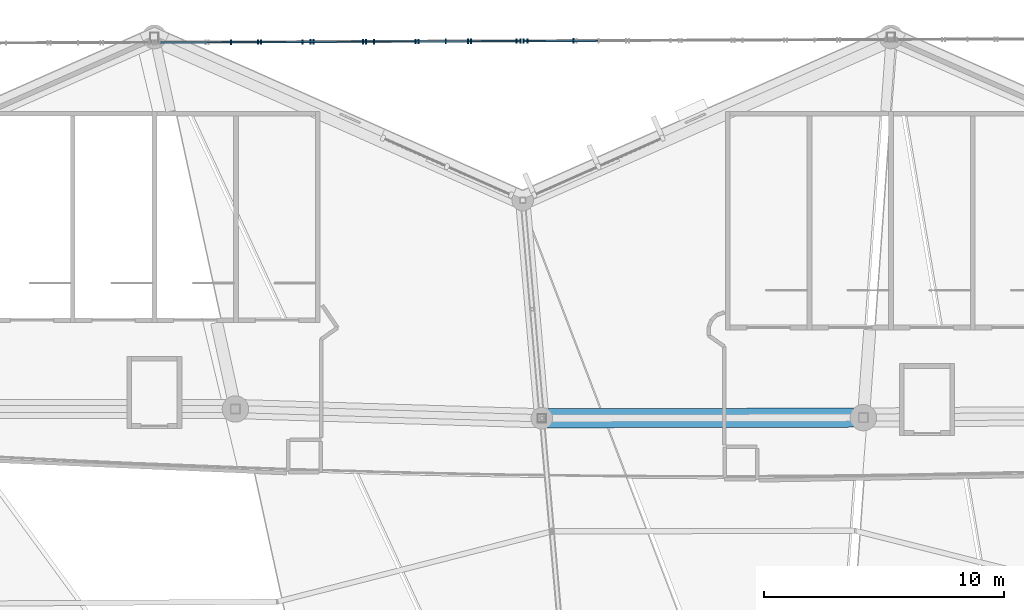
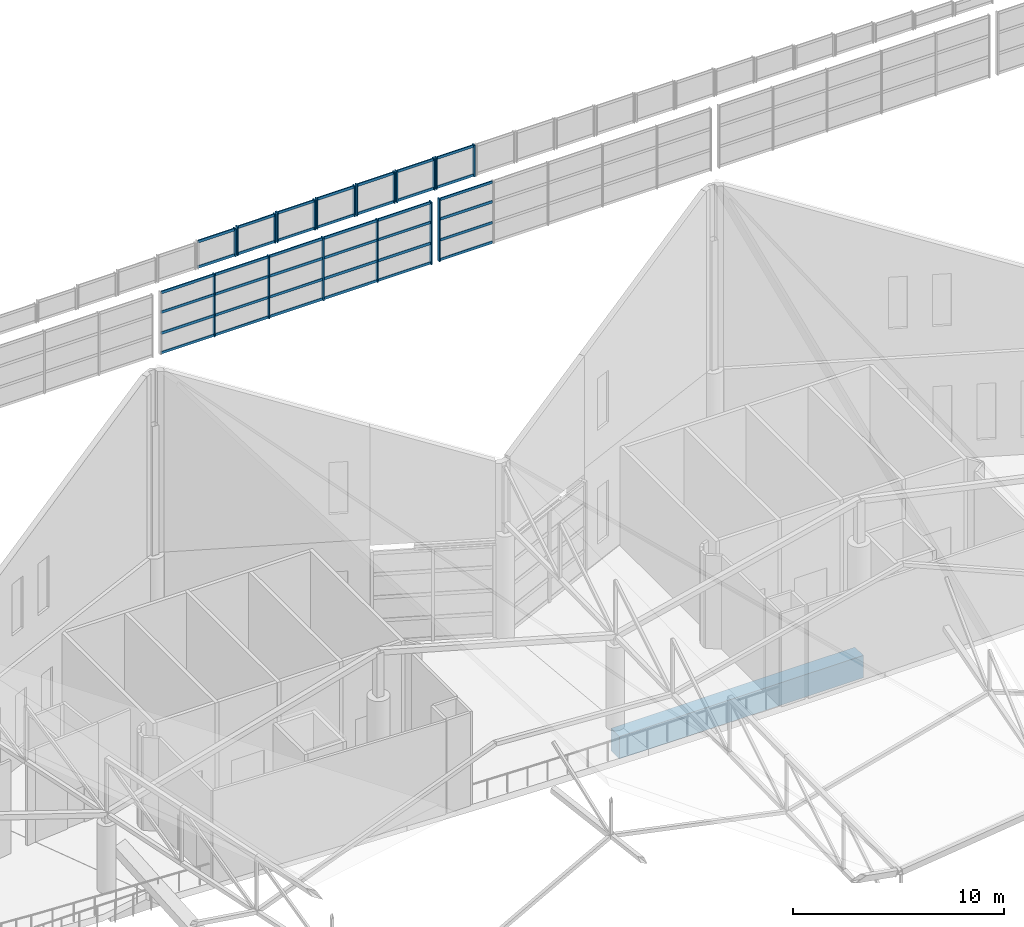
# One storey, part 168 of 344: 57 members, 1 beam, 9 elements without a shape of their own.
"""IFC4 building model written with IfcOpenShell, lengths in metres."""

from ifc_helpers import new_model, si_unit, direction, frame, origin, origin_2d, place, context, subcontext, project, spatial, rectangle, extrude, material, layer, layer_set, material_profile, profile_set, type_object, element, aggregate, save


model = new_model("IFC4")

# Units and contexts
model_context = context("Model", 3, precision=1e-05, world=origin(), true_north=direction((0.0, 1.0)))
body_context = subcontext(model_context, "Body", "Model", "MODEL_VIEW")
ifc_project = project(units=[si_unit("LENGTHUNIT", "METRE"), si_unit("AREAUNIT", "SQUARE_METRE"), si_unit("VOLUMEUNIT", "CUBIC_METRE"), si_unit("PLANEANGLEUNIT", "RADIAN"), si_unit("MASSUNIT", "GRAM", prefix="KILO")], contexts=[model_context])

# Site, building, storey
site_placement = place(None, origin())
site = spatial("IfcSite", under=ifc_project, at=site_placement, CompositionType="ELEMENT")
building_placement = place(site_placement, origin())
building = spatial("IfcBuilding", under=site, at=building_placement, Name="Meseta Stadium", CompositionType="ELEMENT")
storey_placement = place(building_placement, frame((0.0, 0.0, 24.0)))
storey = spatial("IfcBuildingStorey", under=building, at=storey_placement, Name="L04", CompositionType="ELEMENT", Elevation=24.0)

# Curtain wall, members
ifc_material_1 = material(Name="Aluminium", Category="aluminium")
ifc_layer = layer(ifc_material_1, 0.199951171875)
ifc_layer_set = layer_set([ifc_layer], Name="Gable glazing curtain wall")
curtain_wall_type = type_object("IfcCurtainWallType", Name="Gable glazing curtain wall", PredefinedType="NOTDEFINED", material=ifc_layer_set)
curtain_wall_1_placement = place(storey_placement, origin())
curtain_wall_1 = element("IfcCurtainWall", 1, at=curtain_wall_1_placement, inside=storey, type_object=curtain_wall_type, Name="Gable glazing north bay 21", PredefinedType="NOTDEFINED")
ifc_material_2 = material(Name="Aluminium", Category="aluminium")
ifc_material_profile_1 = material_profile(ifc_material_2, rectangle(XDim=0.199951171875, YDim=0.06005859375, at=origin_2d()), Name="CW 200x60")
ifc_profile_set_1 = profile_set([ifc_material_profile_1], Name="Aluminium")
member_type_1 = type_object("IfcMemberType", Name="CW mullion 60x200", PredefinedType="MULLION", material=ifc_profile_set_1)
member_1_placement = place(storey_placement, frame((-5.56005859375, 105.231201171875, 21.85498046875), z_axis=(0.0, 0.0, 1.0), x_axis=(0.003847534181, -0.999992598213, 0.0)))
member_1 = element("IfcMember", 2, at=member_1_placement, type_object=member_type_1, Name="CWG mullion 1", PredefinedType="MULLION", context=body_context, shape_type="SweptSolid", body=[
    extrude(rectangle(XDim=0.199951171875, YDim=0.06005859375, at=origin_2d()), origin(), (0.0, 0.0, 1.0), 1.832763671875),
])
member_2_placement = place(storey_placement, frame((-7.630126953125, 105.22314453125, 21.85498046875), z_axis=(0.0, 0.0, 1.0), x_axis=(0.003847534181, -0.999992598213, 0.0)))
member_2 = element("IfcMember", 3, at=member_2_placement, type_object=member_type_1, Name="CWG mullion 2", PredefinedType="MULLION", context=body_context, shape_type="SweptSolid", body=[
    extrude(rectangle(XDim=0.199951171875, YDim=0.06005859375, at=origin_2d()), origin(), (0.0, 0.0, 1.0), 1.832763671875),
])

curtain_wall_2_placement = place(storey_placement, origin())
curtain_wall_2 = element("IfcCurtainWall", 4, at=curtain_wall_2_placement, inside=storey, type_object=curtain_wall_type, Name="Gable glazing north bay 22", PredefinedType="NOTDEFINED")
member_3_placement = place(storey_placement, frame((-7.754150390625, 105.22265625, 21.85498046875), z_axis=(0.0, 0.0, 1.0), x_axis=(0.003847534233, -0.999992598213, 0.0)))
member_3 = element("IfcMember", 5, at=member_3_placement, type_object=member_type_1, Name="CWG mullion 1", PredefinedType="MULLION", context=body_context, shape_type="SweptSolid", body=[
    extrude(rectangle(XDim=0.199951171875, YDim=0.06005859375, at=origin_2d()), origin(), (0.0, 0.0, 1.0), 1.8251953125),
])
member_4_placement = place(storey_placement, frame((-9.81689453125, 105.21484375, 21.85498046875), z_axis=(0.0, 0.0, 1.0), x_axis=(0.003847534233, -0.999992598213, 0.0)))
member_4 = element("IfcMember", 6, at=member_4_placement, type_object=member_type_1, Name="CWG mullion 2", PredefinedType="MULLION", context=body_context, shape_type="SweptSolid", body=[
    extrude(rectangle(XDim=0.199951171875, YDim=0.06005859375, at=origin_2d()), origin(), (0.0, 0.0, 1.0), 1.8251953125),
])

curtain_wall_3_placement = place(storey_placement, origin())
curtain_wall_3 = element("IfcCurtainWall", 7, at=curtain_wall_3_placement, inside=storey, type_object=curtain_wall_type, Name="Gable glazing north bay 23", PredefinedType="NOTDEFINED")
member_5_placement = place(storey_placement, frame((-9.94091796875, 105.21435546875, 21.85498046875), z_axis=(0.0, 0.0, 1.0), x_axis=(0.003847534233, -0.999992598213, 0.0)))
member_5 = element("IfcMember", 8, at=member_5_placement, type_object=member_type_1, Name="CWG mullion 1", PredefinedType="MULLION", context=body_context, shape_type="SweptSolid", body=[
    extrude(rectangle(XDim=0.199951171875, YDim=0.06005859375, at=origin_2d()), origin(), (0.0, 0.0, 1.0), 1.805419921875),
])
member_6_placement = place(storey_placement, frame((-12.003662109375, 105.206298828125, 21.85498046875), z_axis=(0.0, 0.0, 1.0), x_axis=(0.003847534233, -0.999992598213, 0.0)))
member_6 = element("IfcMember", 9, at=member_6_placement, type_object=member_type_1, Name="CWG mullion 2", PredefinedType="MULLION", context=body_context, shape_type="SweptSolid", body=[
    extrude(rectangle(XDim=0.199951171875, YDim=0.06005859375, at=origin_2d()), origin(), (0.0, 0.0, 1.0), 1.805419921875),
])

curtain_wall_4_placement = place(storey_placement, origin())
curtain_wall_4 = element("IfcCurtainWall", 10, at=curtain_wall_4_placement, inside=storey, type_object=curtain_wall_type, Name="Gable glazing north bay 24", PredefinedType="NOTDEFINED")
member_7_placement = place(storey_placement, frame((-12.12744140625, 105.205810546875, 21.85498046875), z_axis=(0.0, 0.0, 1.0), x_axis=(0.003847534233, -0.999992598213, 0.0)))
member_7 = element("IfcMember", 11, at=member_7_placement, type_object=member_type_1, Name="CWG mullion 1", PredefinedType="MULLION", context=body_context, shape_type="SweptSolid", body=[
    extrude(rectangle(XDim=0.199951171875, YDim=0.06005859375, at=origin_2d()), origin(), (0.0, 0.0, 1.0), 1.7744140625),
])
member_8_placement = place(storey_placement, frame((-14.190185546875, 105.197998046875, 21.85498046875), z_axis=(0.0, 0.0, 1.0), x_axis=(0.003847534233, -0.999992598213, 0.0)))
member_8 = element("IfcMember", 12, at=member_8_placement, type_object=member_type_1, Name="CWG mullion 2", PredefinedType="MULLION", context=body_context, shape_type="SweptSolid", body=[
    extrude(rectangle(XDim=0.199951171875, YDim=0.06005859375, at=origin_2d()), origin(), (0.0, 0.0, 1.0), 1.7744140625),
])

curtain_wall_5_placement = place(storey_placement, origin())
curtain_wall_5 = element("IfcCurtainWall", 13, at=curtain_wall_5_placement, inside=storey, type_object=curtain_wall_type, Name="Gable glazing north bay 25", PredefinedType="NOTDEFINED")
member_9_placement = place(storey_placement, frame((-14.314208984375, 105.197509765625, 21.85498046875), z_axis=(0.0, 0.0, 1.0), x_axis=(0.003847534233, -0.999992598213, 0.0)))
member_9 = element("IfcMember", 14, at=member_9_placement, type_object=member_type_1, Name="CWG mullion 1", PredefinedType="MULLION", context=body_context, shape_type="SweptSolid", body=[
    extrude(rectangle(XDim=0.199951171875, YDim=0.06005859375, at=origin_2d()), origin(), (0.0, 0.0, 1.0), 1.732666015625),
])
member_10_placement = place(storey_placement, frame((-16.376953125, 105.189453125, 21.85498046875), z_axis=(0.0, 0.0, 1.0), x_axis=(0.003847534233, -0.999992598213, 0.0)))
member_10 = element("IfcMember", 15, at=member_10_placement, type_object=member_type_1, Name="CWG mullion 2", PredefinedType="MULLION", context=body_context, shape_type="SweptSolid", body=[
    extrude(rectangle(XDim=0.199951171875, YDim=0.06005859375, at=origin_2d()), origin(), (0.0, 0.0, 1.0), 1.732666015625),
])

curtain_wall_6_placement = place(storey_placement, origin())
curtain_wall_6 = element("IfcCurtainWall", 16, at=curtain_wall_6_placement, inside=storey, type_object=curtain_wall_type, Name="Gable glazing north bay 26", PredefinedType="NOTDEFINED")
member_11_placement = place(storey_placement, frame((-16.5009765625, 105.18896484375, 21.85498046875), z_axis=(0.0, 0.0, 1.0), x_axis=(0.003847534233, -0.999992598213, 0.0)))
member_11 = element("IfcMember", 17, at=member_11_placement, type_object=member_type_1, Name="CWG mullion 1", PredefinedType="MULLION", context=body_context, shape_type="SweptSolid", body=[
    extrude(rectangle(XDim=0.199951171875, YDim=0.06005859375, at=origin_2d()), origin(), (0.0, 0.0, 1.0), 1.679931640625),
])
member_12_placement = place(storey_placement, frame((-18.563720703125, 105.18115234375, 21.85498046875), z_axis=(0.0, 0.0, 1.0), x_axis=(0.003847534233, -0.999992598213, 0.0)))
member_12 = element("IfcMember", 18, at=member_12_placement, type_object=member_type_1, Name="CWG mullion 2", PredefinedType="MULLION", context=body_context, shape_type="SweptSolid", body=[
    extrude(rectangle(XDim=0.199951171875, YDim=0.06005859375, at=origin_2d()), origin(), (0.0, 0.0, 1.0), 1.679931640625),
])

# Curtain wall, member
curtain_wall_7_placement = place(storey_placement, origin())
curtain_wall_7 = element("IfcCurtainWall", 19, at=curtain_wall_7_placement, inside=storey, type_object=curtain_wall_type, Name="Gable glazing north bay 27", PredefinedType="NOTDEFINED")
member_13_placement = place(storey_placement, frame((-18.687744140625, 105.1806640625, 21.85498046875), z_axis=(0.0, 0.0, 1.0), x_axis=(0.003847534233, -0.999992598213, 0.0)))
member_13 = element("IfcMember", 20, at=member_13_placement, type_object=member_type_1, Name="CWG mullion 1", PredefinedType="MULLION", context=body_context, shape_type="SweptSolid", body=[
    extrude(rectangle(XDim=0.199951171875, YDim=0.06005859375, at=origin_2d()), origin(), (0.0, 0.0, 1.0), 1.615966796875),
])

curtain_wall_8_placement = place(storey_placement, origin())
curtain_wall_8 = element("IfcCurtainWall", 21, at=curtain_wall_8_placement, inside=storey, type_object=curtain_wall_type, Name="Gable glazing north lower bay 03", PredefinedType="NOTDEFINED")
member_14_placement = place(storey_placement, frame((-7.466552734375, 105.223876953125, 17.60009765625), z_axis=(0.0, 0.0, 1.0), x_axis=(0.003847534216, -0.999992598213, 0.0)))
member_14 = element("IfcMember", 22, at=member_14_placement, type_object=member_type_1, Name="CWG mullion 6", PredefinedType="MULLION", context=body_context, shape_type="SweptSolid", body=[
    extrude(rectangle(XDim=0.199951171875, YDim=0.06005859375, at=origin_2d()), origin(), (0.0, 0.0, 1.0), 3.635009765625),
])

# Curtain wall, members
curtain_wall_9_placement = place(storey_placement, origin())
curtain_wall_9 = element("IfcCurtainWall", 23, at=curtain_wall_9_placement, inside=storey, type_object=curtain_wall_type, Name="Gable glazing north lower bay 04", PredefinedType="NOTDEFINED")
member_15_placement = place(storey_placement, frame((-7.917724609375, 105.22216796875, 17.60009765625), z_axis=(0.0, 0.0, 1.0), x_axis=(0.003847534198, -0.999992598213, 0.0)))
member_15 = element("IfcMember", 24, at=member_15_placement, type_object=member_type_1, Name="CWG mullion 1", PredefinedType="MULLION", context=body_context, shape_type="SweptSolid", body=[
    extrude(rectangle(XDim=0.199951171875, YDim=0.06005859375, at=origin_2d()), origin(), (0.0, 0.0, 1.0), 3.635009765625),
])
member_16_placement = place(storey_placement, frame((-10.870849609375, 105.210693359375, 17.60009765625), z_axis=(0.0, 0.0, 1.0), x_axis=(0.003847534198, -0.999992598213, 0.0)))
member_16 = element("IfcMember", 25, at=member_16_placement, type_object=member_type_1, Name="CWG mullion 2", PredefinedType="MULLION", context=body_context, shape_type="SweptSolid", body=[
    extrude(rectangle(XDim=0.199951171875, YDim=0.06005859375, at=origin_2d()), origin(), (0.0, 0.0, 1.0), 3.635009765625),
])
member_17_placement = place(storey_placement, frame((-13.85400390625, 105.19921875, 17.60009765625), z_axis=(0.0, 0.0, 1.0), x_axis=(0.003847534198, -0.999992598213, 0.0)))
member_17 = element("IfcMember", 26, at=member_17_placement, type_object=member_type_1, Name="CWG mullion 3", PredefinedType="MULLION", context=body_context, shape_type="SweptSolid", body=[
    extrude(rectangle(XDim=0.199951171875, YDim=0.06005859375, at=origin_2d()), origin(), (0.0, 0.0, 1.0), 3.635009765625),
])
member_18_placement = place(storey_placement, frame((-16.837158203125, 105.187744140625, 17.60009765625), z_axis=(0.0, 0.0, 1.0), x_axis=(0.003847534198, -0.999992598213, 0.0)))
member_18 = element("IfcMember", 27, at=member_18_placement, type_object=member_type_1, Name="CWG mullion 4", PredefinedType="MULLION", context=body_context, shape_type="SweptSolid", body=[
    extrude(rectangle(XDim=0.199951171875, YDim=0.06005859375, at=origin_2d()), origin(), (0.0, 0.0, 1.0), 3.635009765625),
])
member_19_placement = place(storey_placement, frame((-19.8203125, 105.17626953125, 17.60009765625), z_axis=(0.0, 0.0, 1.0), x_axis=(0.003847534198, -0.999992598213, 0.0)))
member_19 = element("IfcMember", 28, at=member_19_placement, type_object=member_type_1, Name="CWG mullion 5", PredefinedType="MULLION", context=body_context, shape_type="SweptSolid", body=[
    extrude(rectangle(XDim=0.199951171875, YDim=0.06005859375, at=origin_2d()), origin(), (0.0, 0.0, 1.0), 3.635009765625),
])

# Member
ifc_material_3 = material(Name="Aluminium", Category="aluminium")
ifc_material_profile_2 = material_profile(ifc_material_3, rectangle(XDim=0.06005859375, YDim=0.14990234375, at=origin_2d()), Name="CW 60x150")
ifc_profile_set_2 = profile_set([ifc_material_profile_2], Name="Aluminium")
member_type_2 = type_object("IfcMemberType", Name="CW transom 60x150", PredefinedType="USERDEFINED", material=ifc_profile_set_2)
member_20_placement = place(storey_placement, frame((-5.590087890625, 105.23095703125, 21.929931640625), z_axis=(-0.999992911203, -0.003765307937, 0.0), x_axis=(0.003765307937, -0.999992911203, 0.0)))
member_20 = element("IfcMember", 29, at=member_20_placement, type_object=member_type_2, Name="CWG transom 1.1", ObjectType="TRANSOM", PredefinedType="USERDEFINED", context=body_context, shape_type="SweptSolid", body=[
    extrude(rectangle(XDim=0.06005859375, YDim=0.14990234375, at=origin_2d()), origin(), (0.0, 0.0, 1.0), 2.010009765625),
])

member_21_placement = place(storey_placement, frame((-5.590087890625, 105.23095703125, 23.61279296875), z_axis=(-0.999992911203, -0.003765307937, 0.0), x_axis=(0.003765307937, -0.999992911203, 0.0)))
member_21 = element("IfcMember", 30, at=member_21_placement, type_object=member_type_2, Name="CWG transom 1.2", ObjectType="TRANSOM", PredefinedType="USERDEFINED", context=body_context, shape_type="SweptSolid", body=[
    extrude(rectangle(XDim=0.06005859375, YDim=0.14990234375, at=origin_2d()), origin(), (0.0, 0.0, 1.0), 2.010009765625),
])

aggregate(curtain_wall_1, [member_1, member_2, member_20, member_21])

member_22_placement = place(storey_placement, frame((-7.7841796875, 105.22265625, 21.929931640625), z_axis=(-0.99999239114, -0.003900982143, 0.0), x_axis=(0.003900982143, -0.99999239114, 0.0)))
member_22 = element("IfcMember", 31, at=member_22_placement, type_object=member_type_2, Name="CWG transom 1.1", ObjectType="TRANSOM", PredefinedType="USERDEFINED", context=body_context, shape_type="SweptSolid", body=[
    extrude(rectangle(XDim=0.06005859375, YDim=0.14990234375, at=origin_2d()), origin(), (0.0, 0.0, 1.0), 2.002685546875),
])

member_23_placement = place(storey_placement, frame((-7.7841796875, 105.22265625, 23.605224609375), z_axis=(-0.99999239114, -0.003900982143, 0.0), x_axis=(0.003900982143, -0.99999239114, 0.0)))
member_23 = element("IfcMember", 32, at=member_23_placement, type_object=member_type_2, Name="CWG transom 1.2", ObjectType="TRANSOM", PredefinedType="USERDEFINED", context=body_context, shape_type="SweptSolid", body=[
    extrude(rectangle(XDim=0.06005859375, YDim=0.14990234375, at=origin_2d()), origin(), (0.0, 0.0, 1.0), 2.002685546875),
])

aggregate(curtain_wall_2, [member_3, member_4, member_22, member_23])

member_24_placement = place(storey_placement, frame((-9.970947265625, 105.214111328125, 21.929931640625), z_axis=(-0.999992859258, -0.00377907822, 0.0), x_axis=(0.00377907822, -0.999992859258, 0.0)))
member_24 = element("IfcMember", 33, at=member_24_placement, type_object=member_type_2, Name="CWG transom 1.1", ObjectType="TRANSOM", PredefinedType="USERDEFINED", context=body_context, shape_type="SweptSolid", body=[
    extrude(rectangle(XDim=0.06005859375, YDim=0.14990234375, at=origin_2d()), origin(), (0.0, 0.0, 1.0), 2.002685546875),
])

member_25_placement = place(storey_placement, frame((-9.970947265625, 105.214111328125, 23.585205078125), z_axis=(-0.999992859258, -0.00377907822, 0.0), x_axis=(0.00377907822, -0.999992859258, 0.0)))
member_25 = element("IfcMember", 34, at=member_25_placement, type_object=member_type_2, Name="CWG transom 1.2", ObjectType="TRANSOM", PredefinedType="USERDEFINED", context=body_context, shape_type="SweptSolid", body=[
    extrude(rectangle(XDim=0.06005859375, YDim=0.14990234375, at=origin_2d()), origin(), (0.0, 0.0, 1.0), 2.002685546875),
])

aggregate(curtain_wall_3, [member_5, member_6, member_24, member_25])

member_26_placement = place(storey_placement, frame((-12.157470703125, 105.205810546875, 21.929931640625), z_axis=(-0.99999239114, -0.003900982143, 0.0), x_axis=(0.003900982143, -0.99999239114, 0.0)))
member_26 = element("IfcMember", 35, at=member_26_placement, type_object=member_type_2, Name="CWG transom 1.1", ObjectType="TRANSOM", PredefinedType="USERDEFINED", context=body_context, shape_type="SweptSolid", body=[
    extrude(rectangle(XDim=0.06005859375, YDim=0.14990234375, at=origin_2d()), origin(), (0.0, 0.0, 1.0), 2.002685546875),
])

member_27_placement = place(storey_placement, frame((-12.157470703125, 105.205810546875, 23.554443359375), z_axis=(-0.99999239114, -0.003900982143, 0.0), x_axis=(0.003900982143, -0.99999239114, 0.0)))
member_27 = element("IfcMember", 36, at=member_27_placement, type_object=member_type_2, Name="CWG transom 1.2", ObjectType="TRANSOM", PredefinedType="USERDEFINED", context=body_context, shape_type="SweptSolid", body=[
    extrude(rectangle(XDim=0.06005859375, YDim=0.14990234375, at=origin_2d()), origin(), (0.0, 0.0, 1.0), 2.002685546875),
])

aggregate(curtain_wall_4, [member_7, member_8, member_26, member_27])

member_28_placement = place(storey_placement, frame((-14.34423828125, 105.197265625, 21.929931640625), z_axis=(-0.999992859258, -0.00377907822, 0.0), x_axis=(0.00377907822, -0.999992859258, 0.0)))
member_28 = element("IfcMember", 37, at=member_28_placement, type_object=member_type_2, Name="CWG transom 1.1", ObjectType="TRANSOM", PredefinedType="USERDEFINED", context=body_context, shape_type="SweptSolid", body=[
    extrude(rectangle(XDim=0.06005859375, YDim=0.14990234375, at=origin_2d()), origin(), (0.0, 0.0, 1.0), 2.002685546875),
])

member_29_placement = place(storey_placement, frame((-14.34423828125, 105.197265625, 23.5126953125), z_axis=(-0.999992859258, -0.00377907822, 0.0), x_axis=(0.00377907822, -0.999992859258, 0.0)))
member_29 = element("IfcMember", 38, at=member_29_placement, type_object=member_type_2, Name="CWG transom 1.2", ObjectType="TRANSOM", PredefinedType="USERDEFINED", context=body_context, shape_type="SweptSolid", body=[
    extrude(rectangle(XDim=0.06005859375, YDim=0.14990234375, at=origin_2d()), origin(), (0.0, 0.0, 1.0), 2.002685546875),
])

aggregate(curtain_wall_5, [member_9, member_10, member_28, member_29])

member_30_placement = place(storey_placement, frame((-16.531005859375, 105.18896484375, 21.929931640625), z_axis=(-0.99999239114, -0.003900982143, 0.0), x_axis=(0.003900982143, -0.99999239114, 0.0)))
member_30 = element("IfcMember", 39, at=member_30_placement, type_object=member_type_2, Name="CWG transom 1.1", ObjectType="TRANSOM", PredefinedType="USERDEFINED", context=body_context, shape_type="SweptSolid", body=[
    extrude(rectangle(XDim=0.06005859375, YDim=0.14990234375, at=origin_2d()), origin(), (0.0, 0.0, 1.0), 2.002685546875),
])

member_31_placement = place(storey_placement, frame((-16.531005859375, 105.18896484375, 23.4599609375), z_axis=(-0.99999239114, -0.003900982143, 0.0), x_axis=(0.003900982143, -0.99999239114, 0.0)))
member_31 = element("IfcMember", 40, at=member_31_placement, type_object=member_type_2, Name="CWG transom 1.2", ObjectType="TRANSOM", PredefinedType="USERDEFINED", context=body_context, shape_type="SweptSolid", body=[
    extrude(rectangle(XDim=0.06005859375, YDim=0.14990234375, at=origin_2d()), origin(), (0.0, 0.0, 1.0), 2.002685546875),
])

aggregate(curtain_wall_6, [member_11, member_12, member_30, member_31])

member_32_placement = place(storey_placement, frame((-18.7177734375, 105.180419921875, 21.929931640625), z_axis=(-0.999992859258, -0.00377907822, 0.0), x_axis=(0.00377907822, -0.999992859258, 0.0)))
member_32 = element("IfcMember", 41, at=member_32_placement, type_object=member_type_2, Name="CWG transom 1.1", ObjectType="TRANSOM", PredefinedType="USERDEFINED", context=body_context, shape_type="SweptSolid", body=[
    extrude(rectangle(XDim=0.06005859375, YDim=0.14990234375, at=origin_2d()), origin(), (0.0, 0.0, 1.0), 2.002685546875),
])

member_33_placement = place(storey_placement, frame((-18.7177734375, 105.180419921875, 23.39599609375), z_axis=(-0.999992859258, -0.00377907822, 0.0), x_axis=(0.00377907822, -0.999992859258, 0.0)))
member_33 = element("IfcMember", 42, at=member_33_placement, type_object=member_type_2, Name="CWG transom 1.2", ObjectType="TRANSOM", PredefinedType="USERDEFINED", context=body_context, shape_type="SweptSolid", body=[
    extrude(rectangle(XDim=0.06005859375, YDim=0.14990234375, at=origin_2d()), origin(), (0.0, 0.0, 1.0), 2.002685546875),
])

aggregate(curtain_wall_7, [member_13, member_32, member_33])

member_34_placement = place(storey_placement, frame((-4.532958984375, 105.235107421875, 17.675048828125), z_axis=(-0.99999252132, -0.003867467293, 0.0), x_axis=(0.003867467293, -0.99999252132, 0.0)))
member_34 = element("IfcMember", 43, at=member_34_placement, type_object=member_type_2, Name="CWG transom 5.1", ObjectType="TRANSOM", PredefinedType="USERDEFINED", context=body_context, shape_type="SweptSolid", body=[
    extrude(rectangle(XDim=0.06005859375, YDim=0.14990234375, at=origin_2d()), origin(), (0.0, 0.0, 1.0), 2.90380859375),
])

member_35_placement = place(storey_placement, frame((-4.532958984375, 105.235107421875, 18.811767578125), z_axis=(-0.99999252132, -0.003867467293, 0.0), x_axis=(0.003867467293, -0.99999252132, 0.0)))
member_35 = element("IfcMember", 44, at=member_35_placement, type_object=member_type_2, Name="CWG transom 5.2", ObjectType="TRANSOM", PredefinedType="USERDEFINED", context=body_context, shape_type="SweptSolid", body=[
    extrude(rectangle(XDim=0.06005859375, YDim=0.14990234375, at=origin_2d()), origin(), (0.0, 0.0, 1.0), 2.90380859375),
])

member_36_placement = place(storey_placement, frame((-4.532958984375, 105.235107421875, 20.0234375), z_axis=(-0.99999252132, -0.003867467293, 0.0), x_axis=(0.003867467293, -0.99999252132, 0.0)))
member_36 = element("IfcMember", 45, at=member_36_placement, type_object=member_type_2, Name="CWG transom 5.3", ObjectType="TRANSOM", PredefinedType="USERDEFINED", context=body_context, shape_type="SweptSolid", body=[
    extrude(rectangle(XDim=0.06005859375, YDim=0.14990234375, at=origin_2d()), origin(), (0.0, 0.0, 1.0), 2.90380859375),
])

member_37_placement = place(storey_placement, frame((-4.532958984375, 105.235107421875, 21.159912109375), z_axis=(-0.99999252132, -0.003867467293, 0.0), x_axis=(0.003867467293, -0.99999252132, 0.0)))
member_37 = element("IfcMember", 46, at=member_37_placement, type_object=member_type_2, Name="CWG transom 5.4", ObjectType="TRANSOM", PredefinedType="USERDEFINED", context=body_context, shape_type="SweptSolid", body=[
    extrude(rectangle(XDim=0.06005859375, YDim=0.14990234375, at=origin_2d()), origin(), (0.0, 0.0, 1.0), 2.90380859375),
])

aggregate(curtain_wall_8, [member_14, member_34, member_35, member_36, member_37])

member_38_placement = place(storey_placement, frame((-7.94775390625, 105.221923828125, 17.675048828125), z_axis=(-0.99999246568, -0.003881827293, 0.0), x_axis=(0.003881827293, -0.99999246568, 0.0)))
member_38 = element("IfcMember", 47, at=member_38_placement, type_object=member_type_2, Name="CWG transom 1.1", ObjectType="TRANSOM", PredefinedType="USERDEFINED", context=body_context, shape_type="SweptSolid", body=[
    extrude(rectangle(XDim=0.06005859375, YDim=0.14990234375, at=origin_2d()), origin(), (0.0, 0.0, 1.0), 2.89306640625),
])

member_39_placement = place(storey_placement, frame((-7.94775390625, 105.221923828125, 18.811767578125), z_axis=(-0.99999246568, -0.003881827293, 0.0), x_axis=(0.003881827293, -0.99999246568, 0.0)))
member_39 = element("IfcMember", 48, at=member_39_placement, type_object=member_type_2, Name="CWG transom 1.2", ObjectType="TRANSOM", PredefinedType="USERDEFINED", context=body_context, shape_type="SweptSolid", body=[
    extrude(rectangle(XDim=0.06005859375, YDim=0.14990234375, at=origin_2d()), origin(), (0.0, 0.0, 1.0), 2.89306640625),
])

member_40_placement = place(storey_placement, frame((-7.94775390625, 105.221923828125, 20.0234375), z_axis=(-0.99999246568, -0.003881827293, 0.0), x_axis=(0.003881827293, -0.99999246568, 0.0)))
member_40 = element("IfcMember", 49, at=member_40_placement, type_object=member_type_2, Name="CWG transom 1.3", ObjectType="TRANSOM", PredefinedType="USERDEFINED", context=body_context, shape_type="SweptSolid", body=[
    extrude(rectangle(XDim=0.06005859375, YDim=0.14990234375, at=origin_2d()), origin(), (0.0, 0.0, 1.0), 2.89306640625),
])

member_41_placement = place(storey_placement, frame((-7.94775390625, 105.221923828125, 21.159912109375), z_axis=(-0.99999246568, -0.003881827293, 0.0), x_axis=(0.003881827293, -0.99999246568, 0.0)))
member_41 = element("IfcMember", 50, at=member_41_placement, type_object=member_type_2, Name="CWG transom 1.4", ObjectType="TRANSOM", PredefinedType="USERDEFINED", context=body_context, shape_type="SweptSolid", body=[
    extrude(rectangle(XDim=0.06005859375, YDim=0.14990234375, at=origin_2d()), origin(), (0.0, 0.0, 1.0), 2.89306640625),
])

member_42_placement = place(storey_placement, frame((-10.90087890625, 105.21044921875, 17.675048828125), z_axis=(-0.999992619685, -0.003841949428, 0.0), x_axis=(0.003841949428, -0.999992619685, 0.0)))
member_42 = element("IfcMember", 51, at=member_42_placement, type_object=member_type_2, Name="CWG transom 2.1", ObjectType="TRANSOM", PredefinedType="USERDEFINED", context=body_context, shape_type="SweptSolid", body=[
    extrude(rectangle(XDim=0.06005859375, YDim=0.14990234375, at=origin_2d()), origin(), (0.0, 0.0, 1.0), 2.923095703125),
])

member_43_placement = place(storey_placement, frame((-10.90087890625, 105.21044921875, 18.811767578125), z_axis=(-0.999992619685, -0.003841949428, 0.0), x_axis=(0.003841949428, -0.999992619685, 0.0)))
member_43 = element("IfcMember", 52, at=member_43_placement, type_object=member_type_2, Name="CWG transom 2.2", ObjectType="TRANSOM", PredefinedType="USERDEFINED", context=body_context, shape_type="SweptSolid", body=[
    extrude(rectangle(XDim=0.06005859375, YDim=0.14990234375, at=origin_2d()), origin(), (0.0, 0.0, 1.0), 2.923095703125),
])

member_44_placement = place(storey_placement, frame((-10.90087890625, 105.21044921875, 20.0234375), z_axis=(-0.999992619685, -0.003841949428, 0.0), x_axis=(0.003841949428, -0.999992619685, 0.0)))
member_44 = element("IfcMember", 53, at=member_44_placement, type_object=member_type_2, Name="CWG transom 2.3", ObjectType="TRANSOM", PredefinedType="USERDEFINED", context=body_context, shape_type="SweptSolid", body=[
    extrude(rectangle(XDim=0.06005859375, YDim=0.14990234375, at=origin_2d()), origin(), (0.0, 0.0, 1.0), 2.923095703125),
])

member_45_placement = place(storey_placement, frame((-10.90087890625, 105.21044921875, 21.159912109375), z_axis=(-0.999992619685, -0.003841949428, 0.0), x_axis=(0.003841949428, -0.999992619685, 0.0)))
member_45 = element("IfcMember", 54, at=member_45_placement, type_object=member_type_2, Name="CWG transom 2.4", ObjectType="TRANSOM", PredefinedType="USERDEFINED", context=body_context, shape_type="SweptSolid", body=[
    extrude(rectangle(XDim=0.06005859375, YDim=0.14990234375, at=origin_2d()), origin(), (0.0, 0.0, 1.0), 2.923095703125),
])

member_46_placement = place(storey_placement, frame((-13.884033203125, 105.198974609375, 17.675048828125), z_axis=(-0.999992619685, -0.003841949428, 0.0), x_axis=(0.003841949428, -0.999992619685, 0.0)))
member_46 = element("IfcMember", 55, at=member_46_placement, type_object=member_type_2, Name="CWG transom 3.1", ObjectType="TRANSOM", PredefinedType="USERDEFINED", context=body_context, shape_type="SweptSolid", body=[
    extrude(rectangle(XDim=0.06005859375, YDim=0.14990234375, at=origin_2d()), origin(), (0.0, 0.0, 1.0), 2.923095703125),
])

member_47_placement = place(storey_placement, frame((-13.884033203125, 105.198974609375, 18.811767578125), z_axis=(-0.999992619685, -0.003841949428, 0.0), x_axis=(0.003841949428, -0.999992619685, 0.0)))
member_47 = element("IfcMember", 56, at=member_47_placement, type_object=member_type_2, Name="CWG transom 3.2", ObjectType="TRANSOM", PredefinedType="USERDEFINED", context=body_context, shape_type="SweptSolid", body=[
    extrude(rectangle(XDim=0.06005859375, YDim=0.14990234375, at=origin_2d()), origin(), (0.0, 0.0, 1.0), 2.923095703125),
])

member_48_placement = place(storey_placement, frame((-13.884033203125, 105.198974609375, 20.0234375), z_axis=(-0.999992619685, -0.003841949428, 0.0), x_axis=(0.003841949428, -0.999992619685, 0.0)))
member_48 = element("IfcMember", 57, at=member_48_placement, type_object=member_type_2, Name="CWG transom 3.3", ObjectType="TRANSOM", PredefinedType="USERDEFINED", context=body_context, shape_type="SweptSolid", body=[
    extrude(rectangle(XDim=0.06005859375, YDim=0.14990234375, at=origin_2d()), origin(), (0.0, 0.0, 1.0), 2.923095703125),
])

member_49_placement = place(storey_placement, frame((-13.884033203125, 105.198974609375, 21.159912109375), z_axis=(-0.999992619685, -0.003841949428, 0.0), x_axis=(0.003841949428, -0.999992619685, 0.0)))
member_49 = element("IfcMember", 58, at=member_49_placement, type_object=member_type_2, Name="CWG transom 3.4", ObjectType="TRANSOM", PredefinedType="USERDEFINED", context=body_context, shape_type="SweptSolid", body=[
    extrude(rectangle(XDim=0.06005859375, YDim=0.14990234375, at=origin_2d()), origin(), (0.0, 0.0, 1.0), 2.923095703125),
])

member_50_placement = place(storey_placement, frame((-16.8671875, 105.1875, 17.675048828125), z_axis=(-0.999992619685, -0.003841949428, 0.0), x_axis=(0.003841949428, -0.999992619685, 0.0)))
member_50 = element("IfcMember", 59, at=member_50_placement, type_object=member_type_2, Name="CWG transom 4.1", ObjectType="TRANSOM", PredefinedType="USERDEFINED", context=body_context, shape_type="SweptSolid", body=[
    extrude(rectangle(XDim=0.06005859375, YDim=0.14990234375, at=origin_2d()), origin(), (0.0, 0.0, 1.0), 2.923095703125),
])

member_51_placement = place(storey_placement, frame((-16.8671875, 105.1875, 18.811767578125), z_axis=(-0.999992619685, -0.003841949428, 0.0), x_axis=(0.003841949428, -0.999992619685, 0.0)))
member_51 = element("IfcMember", 60, at=member_51_placement, type_object=member_type_2, Name="CWG transom 4.2", ObjectType="TRANSOM", PredefinedType="USERDEFINED", context=body_context, shape_type="SweptSolid", body=[
    extrude(rectangle(XDim=0.06005859375, YDim=0.14990234375, at=origin_2d()), origin(), (0.0, 0.0, 1.0), 2.923095703125),
])

member_52_placement = place(storey_placement, frame((-16.8671875, 105.1875, 20.0234375), z_axis=(-0.999992619685, -0.003841949428, 0.0), x_axis=(0.003841949428, -0.999992619685, 0.0)))
member_52 = element("IfcMember", 61, at=member_52_placement, type_object=member_type_2, Name="CWG transom 4.3", ObjectType="TRANSOM", PredefinedType="USERDEFINED", context=body_context, shape_type="SweptSolid", body=[
    extrude(rectangle(XDim=0.06005859375, YDim=0.14990234375, at=origin_2d()), origin(), (0.0, 0.0, 1.0), 2.923095703125),
])

member_53_placement = place(storey_placement, frame((-16.8671875, 105.1875, 21.159912109375), z_axis=(-0.999992619685, -0.003841949428, 0.0), x_axis=(0.003841949428, -0.999992619685, 0.0)))
member_53 = element("IfcMember", 62, at=member_53_placement, type_object=member_type_2, Name="CWG transom 4.4", ObjectType="TRANSOM", PredefinedType="USERDEFINED", context=body_context, shape_type="SweptSolid", body=[
    extrude(rectangle(XDim=0.06005859375, YDim=0.14990234375, at=origin_2d()), origin(), (0.0, 0.0, 1.0), 2.923095703125),
])

member_54_placement = place(storey_placement, frame((-19.850341796875, 105.176025390625, 17.675048828125), z_axis=(-0.999992790912, -0.003797120546, 0.0), x_axis=(0.003797120546, -0.999992790912, 0.0)))
member_54 = element("IfcMember", 63, at=member_54_placement, type_object=member_type_2, Name="CWG transom 5.1", ObjectType="TRANSOM", PredefinedType="USERDEFINED", context=body_context, shape_type="SweptSolid", body=[
    extrude(rectangle(XDim=0.06005859375, YDim=0.14990234375, at=origin_2d()), origin(), (0.0, 0.0, 1.0), 2.893310546875),
])

member_55_placement = place(storey_placement, frame((-19.850341796875, 105.176025390625, 18.811767578125), z_axis=(-0.999992790912, -0.003797120546, 0.0), x_axis=(0.003797120546, -0.999992790912, 0.0)))
member_55 = element("IfcMember", 64, at=member_55_placement, type_object=member_type_2, Name="CWG transom 5.2", ObjectType="TRANSOM", PredefinedType="USERDEFINED", context=body_context, shape_type="SweptSolid", body=[
    extrude(rectangle(XDim=0.06005859375, YDim=0.14990234375, at=origin_2d()), origin(), (0.0, 0.0, 1.0), 2.893310546875),
])

member_56_placement = place(storey_placement, frame((-19.850341796875, 105.176025390625, 20.0234375), z_axis=(-0.999992790912, -0.003797120546, 0.0), x_axis=(0.003797120546, -0.999992790912, 0.0)))
member_56 = element("IfcMember", 65, at=member_56_placement, type_object=member_type_2, Name="CWG transom 5.3", ObjectType="TRANSOM", PredefinedType="USERDEFINED", context=body_context, shape_type="SweptSolid", body=[
    extrude(rectangle(XDim=0.06005859375, YDim=0.14990234375, at=origin_2d()), origin(), (0.0, 0.0, 1.0), 2.893310546875),
])

member_57_placement = place(storey_placement, frame((-19.850341796875, 105.176025390625, 21.159912109375), z_axis=(-0.999992790912, -0.003797120546, 0.0), x_axis=(0.003797120546, -0.999992790912, 0.0)))
member_57 = element("IfcMember", 66, at=member_57_placement, type_object=member_type_2, Name="CWG transom 5.4", ObjectType="TRANSOM", PredefinedType="USERDEFINED", context=body_context, shape_type="SweptSolid", body=[
    extrude(rectangle(XDim=0.06005859375, YDim=0.14990234375, at=origin_2d()), origin(), (0.0, 0.0, 1.0), 2.893310546875),
])

aggregate(curtain_wall_9, [member_15, member_16, member_17, member_18, member_19, member_38, member_39, member_40, member_41, member_42, member_43, member_44, member_45, member_46, member_47, member_48, member_49, member_50, member_51, member_52, member_53, member_54, member_55, member_56, member_57])

# Beam
ifc_material_4 = material(Name="Concrete C40/50", Category="concrete")
ifc_material_profile_3 = material_profile(ifc_material_4, rectangle(XDim=0.800048828125, YDim=1.300048828125, at=origin_2d()), Name="RC 800x1300")
ifc_profile_set_3 = profile_set([ifc_material_profile_3], Name="Concrete C40/50")
beam_type = type_object("IfcBeamType", Name="RC beam 800x1300", PredefinedType="BEAM", material=ifc_profile_set_3)
beam_placement = place(storey_placement, frame((6.51708984375, 89.54638671875, -1.050048828125), z_axis=(-0.999997723809, -0.002133629982, 0.0), x_axis=(0.002133629982, -0.999997723809, 0.0)))
element("IfcBeam", 67, at=beam_placement, inside=storey, type_object=beam_type, Name="L04 ring beam frame 18 line P", PredefinedType="BEAM", context=body_context, shape_type="SweptSolid", body=[
    extrude(rectangle(XDim=0.800048828125, YDim=1.300048828125, at=origin_2d()), origin(), (0.0, 0.0, 1.0), 13.3876953125),
])

save(model, "model.ifc")
